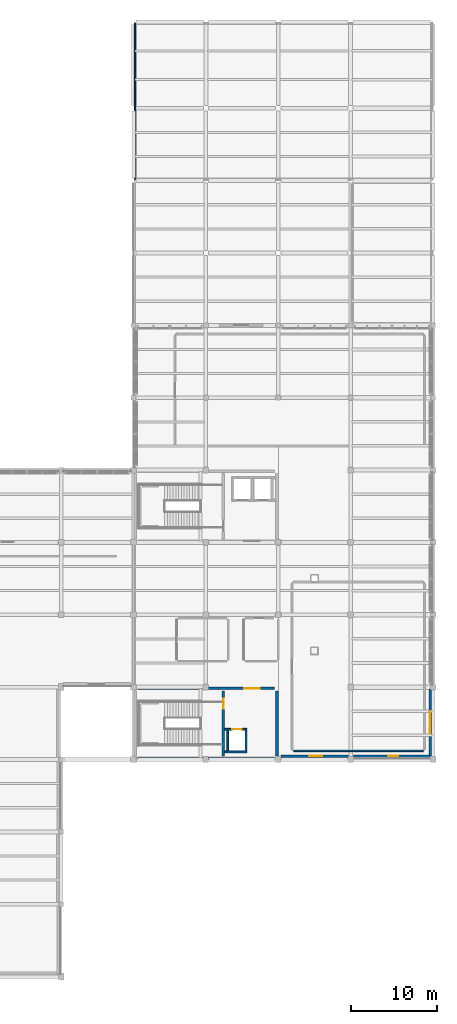
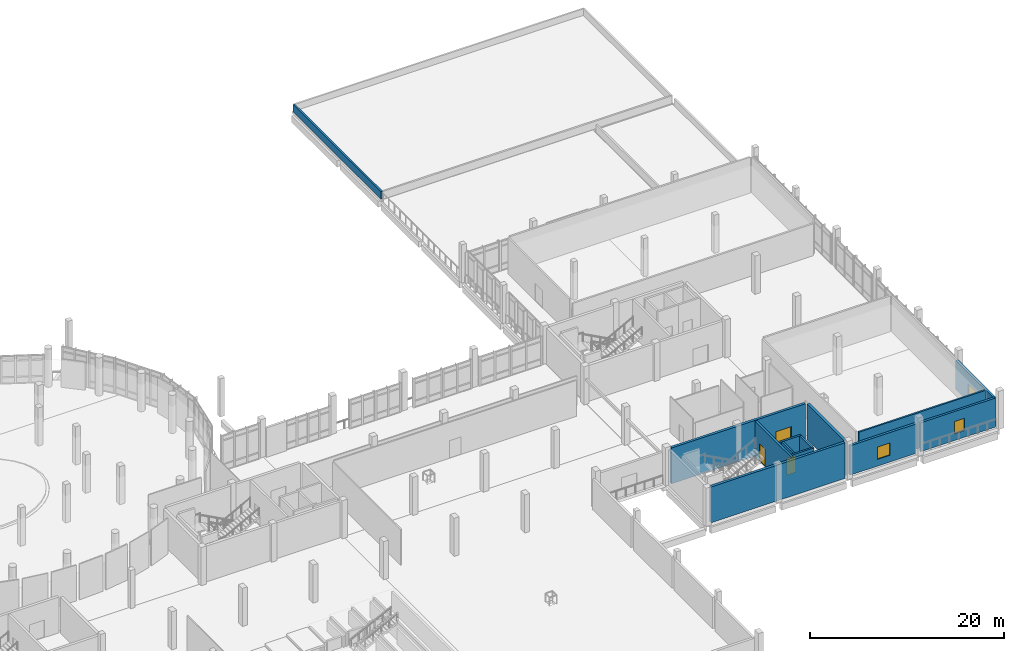
# One storey, part 46 of 63: 13 walls, 3 doors, 3 windows, 6 openings.
"""IFC4 building model written with IfcOpenShell, lengths in metres."""

from ifc_helpers import new_model, si_unit, derived_unit, direction, frame, frame_2d, origin, place, context, subcontext, project, spatial, rectangle, extrude, material, layer, layer_set, type_object, element, fill, save


model = new_model("IFC4")

# Units and contexts
model_context = context("Model", 3, precision=1e-05, world=origin(), true_north=direction((0.0, 1.0)))
body_context = subcontext(model_context, "Body", "Model", "MODEL_VIEW")
ifc_project = project(units=[si_unit("LENGTHUNIT", "METRE"), si_unit("AREAUNIT", "SQUARE_METRE"), si_unit("VOLUMEUNIT", "CUBIC_METRE"), si_unit("PLANEANGLEUNIT", "RADIAN"), si_unit("MASSUNIT", "GRAM", prefix="KILO"), derived_unit("THERMALTRANSMITTANCEUNIT", [(si_unit("POWERUNIT", "WATT"), 1), (si_unit("LENGTHUNIT", "METRE"), -2), (si_unit("THERMODYNAMICTEMPERATUREUNIT", "KELVIN"), -1)])], contexts=[model_context])

# Site, building, storey
site_placement = place(None, origin())
site = spatial("IfcSite", under=ifc_project, at=site_placement, CompositionType="ELEMENT")
building_placement = place(site_placement, origin())
building = spatial("IfcBuilding", under=site, at=building_placement, Name="Elbkamm Science Centre", CompositionType="ELEMENT")
storey_placement = place(building_placement, frame((0.0, 0.0, 5.10009765625)))
storey = spatial("IfcBuildingStorey", under=building, at=storey_placement, Name="L01", CompositionType="ELEMENT", Elevation=5.10009765625)

# Wall, opening, door
ifc_material_1 = material(Name="Reinforced concrete C40/50", Category="concrete")
ifc_layer_1 = layer(ifc_material_1, 0.25)
ifc_layer_set_1 = layer_set([ifc_layer_1], Name="Reinforced concrete C40/50")
wall_type_1 = type_object("IfcWallType", Name="WL-CORE-250", PredefinedType="SHEAR", material=ifc_layer_set_1)
wall_1_placement = place(storey_placement, frame((136.419921875, 25.6201171875, 0.0), z_axis=(0.0, 0.0, 1.0), x_axis=(0.0, 1.0, 0.0)))
wall_1 = element("IfcWall", 1, at=wall_1_placement, inside=storey, type_object=wall_type_1, Name="L01 C4 Stairwell Compartment Wall", PredefinedType="SHEAR", context=body_context, shape_type="SweptSolid", body=[
    extrude(rectangle(XDim=7.559814453125, YDim=0.25, at=frame_2d((3.77978515625, 0.0))), origin(), (0.0, 0.0, 1.0), 4.5),
])
opening_1_placement = place(wall_1_placement, frame((5.4599609375, 0.0, 0.0)))
opening_1 = element("IfcOpeningElement", 2, at=opening_1_placement, cuts=wall_1, Name="Opening DC-02", PredefinedType="OPENING", context=body_context, shape_type="SweptSolid", body=[
    extrude(rectangle(XDim=1.199951171875, YDim=2.199951171875, at=frame_2d((0.60009765625, 1.10009765625))), frame((0.0, 0.136962890625, 0.0), z_axis=(0.0, -1.0, 0.0), x_axis=(1.0, 0.0, 0.0)), (0.0, 0.0, 1.0), 0.27392578125),
])
ifc_material_2 = material(Name="Fire-rated steel acoustic door", Category="steel")
ifc_layer_2 = layer(ifc_material_2, 0.050048828125)
ifc_layer_set_2 = layer_set([ifc_layer_2], Name="Fire-rated steel acoustic door")
door_type_1 = type_object("IfcDoorType", Name="DR-CORE-1200x2200", OperationType="NOTDEFINED", PredefinedType="DOOR", material=ifc_layer_set_2)
door_1_placement = place(opening_1_placement, origin())
door_1 = element("IfcDoor", 3, at=door_1_placement, inside=storey, type_object=door_type_1, Name="L01 ST-C4 Stairwell Fire Door", OperationType="SINGLE_SWING_RIGHT", OverallHeight=2.199951171875, OverallWidth=1.199951171875, PredefinedType="DOOR", context=body_context, shape_type="SweptSolid", body=[
    extrude(rectangle(XDim=1.199951171875, YDim=2.199951171875, at=frame_2d((0.60009765625, 1.10009765625))), frame((0.0, 0.02490234375, 0.0), z_axis=(0.0, -1.0, 0.0), x_axis=(1.0, 0.0, 0.0)), (0.0, 0.0, 1.0), 0.050048828125),
])
fill(opening_1, door_1)

# Wall
ifc_layer_3 = layer(ifc_material_1, 0.300048828125)
ifc_layer_set_3 = layer_set([ifc_layer_3], Name="Reinforced concrete C40/50")
wall_type_2 = type_object("IfcWallType", Name="WL-CORE-300", PredefinedType="SHEAR", material=ifc_layer_set_3)
wall_2_placement = place(storey_placement, frame((126.449951171875, 25.35009765625, 0.0), z_axis=(0.0, 0.0, 1.0), x_axis=(1.0, 0.0, 0.0)))
element("IfcWall", 4, at=wall_2_placement, inside=storey, type_object=wall_type_2, Name="L01 Core C4 Southeast Workshops and Library Core Shear Wall S", PredefinedType="SHEAR", context=body_context, shape_type="SweptSolid", body=[
    extrude(rectangle(XDim=15.929931640625, YDim=0.300048828125, at=frame_2d((7.96484375, 0.0))), origin(), (0.0, 0.0, 1.0), 4.5),
])

# Wall, opening, door
wall_3_placement = place(storey_placement, frame((126.449951171875, 33.449951171875, 0.0), z_axis=(0.0, 0.0, 1.0), x_axis=(1.0, 0.0, 0.0)))
wall_3 = element("IfcWall", 5, at=wall_3_placement, inside=storey, type_object=wall_type_2, Name="L01 Core C4 Southeast Workshops and Library Core Shear Wall N", PredefinedType="SHEAR", context=body_context, shape_type="SweptSolid", body=[
    extrude(rectangle(XDim=15.929931640625, YDim=0.300048828125, at=frame_2d((7.96484375, 0.0))), origin(), (0.0, 0.0, 1.0), 4.5),
])
opening_2_placement = place(wall_3_placement, frame((12.429931640625, 0.0, 0.0)))
opening_2 = element("IfcOpeningElement", 6, at=opening_2_placement, cuts=wall_3, Name="Opening DC-01", PredefinedType="OPENING", context=body_context, shape_type="SweptSolid", body=[
    extrude(rectangle(XDim=1.800048828125, YDim=2.199951171875, at=frame_2d((0.89990234375, 1.10009765625))), frame((0.0, 0.162109375, 0.0), z_axis=(0.0, -1.0, 0.0), x_axis=(1.0, 0.0, 0.0)), (0.0, 0.0, 1.0), 0.323974609375),
])
ifc_layer_4 = layer(ifc_material_2, 0.050048828125)
ifc_layer_set_4 = layer_set([ifc_layer_4], Name="Fire-rated steel acoustic door")
door_type_2 = type_object("IfcDoorType", Name="DR-CORE-1800x2200", OperationType="DOUBLE_DOOR_SINGLE_SWING", PredefinedType="DOOR", material=ifc_layer_set_4)
door_2_placement = place(opening_2_placement, origin())
door_2 = element("IfcDoor", 7, at=door_2_placement, inside=storey, type_object=door_type_2, Name="L01 C4 Core Lobby Fire Door", OperationType="DOUBLE_DOOR_SINGLE_SWING", OverallHeight=2.199951171875, OverallWidth=1.800048828125, PredefinedType="DOOR", context=body_context, shape_type="SweptSolid", body=[
    extrude(rectangle(XDim=1.800048828125, YDim=2.199951171875, at=frame_2d((0.89990234375, 1.10009765625))), frame((0.0, 0.02490234375, 0.0), z_axis=(0.0, -1.0, 0.0), x_axis=(1.0, 0.0, 0.0)), (0.0, 0.0, 1.0), 0.050048828125),
])
fill(opening_2, door_2)

# Wall
wall_4_placement = place(storey_placement, frame((142.64990234375, 25.6201171875, 0.0), z_axis=(0.0, 0.0, 1.0), x_axis=(0.0, 1.0, 0.0)))
element("IfcWall", 8, at=wall_4_placement, inside=storey, type_object=wall_type_2, Name="L01 Core C4 Southeast Workshops and Library Core Shear Wall E", PredefinedType="SHEAR", context=body_context, shape_type="SweptSolid", body=[
    extrude(rectangle(XDim=7.559814453125, YDim=0.300048828125, at=frame_2d((3.77978515625, 0.0))), origin(), (0.0, 0.0, 1.0), 4.5),
])

# Wall, opening, window
ifc_material_3 = material(Name="White precast concrete C40/50", Category="concrete")
ifc_layer_5 = layer(ifc_material_3, 0.27001953125)
ifc_layer_set_5 = layer_set([ifc_layer_5], Name="White precast concrete C40/50")
wall_type_3 = type_object("IfcWallType", Name="WL-EXT-270", PredefinedType="SOLIDWALL", material=ifc_layer_set_5)
wall_5_placement = place(storey_placement, frame((160.419921875, 25.580078125, 0.0), z_axis=(0.0, 0.0, 1.0), x_axis=(-1.0, 0.0, 0.0)))
wall_5 = element("IfcWall", 9, at=wall_5_placement, inside=storey, type_object=wall_type_3, Name="L01 Exterior Wall 0185", PredefinedType="SOLIDWALL", context=body_context, shape_type="SweptSolid", body=[
    extrude(rectangle(XDim=8.892822265625, YDim=0.27001953125, at=frame_2d((4.4462890625, 0.0))), origin(), (0.0, 0.0, 1.0), 3.64990234375),
])
opening_3_placement = place(wall_5_placement, frame((3.66748046875, 0.0, 0.85009765625)))
opening_3 = element("IfcOpeningElement", 10, at=opening_3_placement, cuts=wall_5, Name="Opening W-09", PredefinedType="OPENING", context=body_context, shape_type="SweptSolid", body=[
    extrude(rectangle(XDim=1.199951171875, YDim=1.550048828125, at=frame_2d((0.60009765625, 0.77490234375))), frame((0.0, 0.14697265625, 0.0), z_axis=(0.0, -1.0, 0.0), x_axis=(1.0, 0.0, 0.0)), (0.0, 0.0, 1.0), 0.2939453125),
])
ifc_material_4 = material(Name="Thermally broken aluminium and triple solar glass", Category="aluminium")
ifc_layer_6 = layer(ifc_material_4, 0.06005859375)
ifc_layer_set_6 = layer_set([ifc_layer_6], Name="Thermally broken aluminium and triple solar glass")
window_type_1 = type_object("IfcWindowType", Name="WIN-1200x1550", PartitioningType="SINGLE_PANEL", PredefinedType="WINDOW", material=ifc_layer_set_6)
window_1_placement = place(opening_3_placement, origin())
window_1 = element("IfcWindow", 11, at=window_1_placement, inside=storey, type_object=window_type_1, Name="L01 Facade Window 0028", OverallHeight=1.550048828125, OverallWidth=1.199951171875, PartitioningType="SINGLE_PANEL", PredefinedType="WINDOW", context=body_context, shape_type="SweptSolid", body=[
    extrude(rectangle(XDim=1.199951171875, YDim=1.550048828125, at=frame_2d((0.60009765625, 0.77490234375))), frame((0.0, 0.030029296875, 0.0), z_axis=(0.0, -1.0, 0.0), x_axis=(1.0, 0.0, 0.0)), (0.0, 0.0, 1.0), 0.06005859375),
])
fill(opening_3, window_1)

ifc_layer_7 = layer(ifc_material_3, 0.2900390625)
ifc_layer_set_7 = layer_set([ifc_layer_7], Name="White precast concrete C40/50")
wall_type_4 = type_object("IfcWallType", Name="WL-EXT-290", PredefinedType="SOLIDWALL", material=ifc_layer_set_7)
wall_6_placement = place(storey_placement, frame((160.419921875, 33.36083984375, 0.0), z_axis=(0.0, 0.0, 1.0), x_axis=(0.0, -1.0, 0.0)))
wall_6 = element("IfcWall", 12, at=wall_6_placement, inside=storey, type_object=wall_type_4, Name="L01 Exterior Wall 0184", PredefinedType="SOLIDWALL", context=body_context, shape_type="SweptSolid", body=[
    extrude(rectangle(XDim=7.78076171875, YDim=0.2900390625, at=frame_2d((3.890380859375, 0.0))), origin(), (0.0, 0.0, 1.0), 3.64990234375),
])
opening_4_placement = place(wall_6_placement, frame((2.590576171875, 0.0, 0.85009765625)))
opening_4 = element("IfcOpeningElement", 13, at=opening_4_placement, cuts=wall_6, Name="Opening W-08", PredefinedType="OPENING", context=body_context, shape_type="SweptSolid", body=[
    extrude(rectangle(XDim=2.60009765625, YDim=1.39990234375, at=frame_2d((1.300048828125, 0.699951171875))), frame((0.0, 0.156982421875, 0.0), z_axis=(0.0, -1.0, 0.0), x_axis=(1.0, 0.0, 0.0)), (0.0, 0.0, 1.0), 0.31396484375),
])
ifc_layer_8 = layer(ifc_material_4, 0.06005859375)
ifc_layer_set_8 = layer_set([ifc_layer_8], Name="Thermally broken aluminium and triple solar glass")
window_type_2 = type_object("IfcWindowType", Name="WIN-2600x1400", PartitioningType="DOUBLE_PANEL_VERTICAL", PredefinedType="WINDOW", material=ifc_layer_set_8)
window_2_placement = place(opening_4_placement, origin())
window_2 = element("IfcWindow", 14, at=window_2_placement, inside=storey, type_object=window_type_2, Name="L01 Facade Window 0027", OverallHeight=1.39990234375, OverallWidth=2.60009765625, PartitioningType="SINGLE_PANEL", PredefinedType="WINDOW", context=body_context, shape_type="SweptSolid", body=[
    extrude(rectangle(XDim=2.60009765625, YDim=1.39990234375, at=frame_2d((1.300048828125, 0.699951171875))), frame((0.0, 0.030029296875, 0.0), z_axis=(0.0, -1.0, 0.0), x_axis=(1.0, 0.0, 0.0)), (0.0, 0.0, 1.0), 0.06005859375),
])
fill(opening_4, window_2)

wall_7_placement = place(storey_placement, frame((150.9609375, 25.580078125, 0.0), z_axis=(0.0, 0.0, 1.0), x_axis=(-1.0, 0.0, 0.0)))
wall_7 = element("IfcWall", 15, at=wall_7_placement, inside=storey, type_object=wall_type_4, Name="L01 Exterior Wall 0186", PredefinedType="SOLIDWALL", context=body_context, shape_type="SweptSolid", body=[
    extrude(rectangle(XDim=7.833984375, YDim=0.2900390625, at=frame_2d((3.9169921875, 0.0))), origin(), (0.0, 0.0, 1.0), 3.699951171875),
])
opening_5_placement = place(wall_7_placement, frame((3.055419921875, 0.0, 0.85009765625)))
opening_5 = element("IfcOpeningElement", 16, at=opening_5_placement, cuts=wall_7, Name="Opening W-10", PredefinedType="OPENING", context=body_context, shape_type="SweptSolid", body=[
    extrude(rectangle(XDim=1.5, YDim=1.550048828125, at=frame_2d((0.75, 0.77490234375))), frame((0.0, 0.156982421875, 0.0), z_axis=(0.0, -1.0, 0.0), x_axis=(1.0, 0.0, 0.0)), (0.0, 0.0, 1.0), 0.31396484375),
])
ifc_layer_9 = layer(ifc_material_4, 0.06005859375)
ifc_layer_set_9 = layer_set([ifc_layer_9], Name="Thermally broken aluminium and triple solar glass")
window_type_3 = type_object("IfcWindowType", Name="WIN-1500x1550", PartitioningType="SINGLE_PANEL", PredefinedType="WINDOW", material=ifc_layer_set_9)
window_3_placement = place(opening_5_placement, origin())
window_3 = element("IfcWindow", 17, at=window_3_placement, inside=storey, type_object=window_type_3, Name="L01 Facade Window 0029", OverallHeight=1.550048828125, OverallWidth=1.5, PartitioningType="SINGLE_PANEL", PredefinedType="WINDOW", context=body_context, shape_type="SweptSolid", body=[
    extrude(rectangle(XDim=1.5, YDim=1.550048828125, at=frame_2d((0.75, 0.77490234375))), frame((0.0, 0.030029296875, 0.0), z_axis=(0.0, -1.0, 0.0), x_axis=(1.0, 0.0, 0.0)), (0.0, 0.0, 1.0), 0.06005859375),
])
fill(opening_5, window_3)

# Walls
ifc_material_5 = material(Name="Fire-rated acoustic blockwork", Category="masonry")
ifc_layer_10 = layer(ifc_material_5, 0.199951171875)
ifc_layer_set_10 = layer_set([ifc_layer_10], Name="Fire-rated acoustic blockwork")
wall_type_5 = type_object("IfcWallType", Name="WL-FIRE-200", PredefinedType="PARTITIONING", material=ifc_layer_set_10)
wall_8_placement = place(storey_placement, frame((159.6201171875, 26.199951171875, 0.0), z_axis=(0.0, 0.0, 1.0), x_axis=(-1.0, 0.0, 0.0)))
element("IfcWall", 18, at=wall_8_placement, inside=storey, type_object=wall_type_5, Name="L01 Chemistry Wet Teaching Laboratory Partition 0118", PredefinedType="PARTITIONING", context=body_context, shape_type="SweptSolid", body=[
    extrude(rectangle(XDim=15.0400390625, YDim=0.199951171875, at=frame_2d((7.52001953125, 0.0))), origin(), (0.0, 0.0, 1.0), 4.5),
])
ifc_layer_11 = layer(ifc_material_3, 0.2099609375)
ifc_layer_set_11 = layer_set([ifc_layer_11], Name="White precast concrete C40/50")
wall_type_6 = type_object("IfcWallType", Name="WL-PAR-210", PredefinedType="PARAPET", material=ifc_layer_set_11)
wall_9_placement = place(storey_placement, frame((126.1650390625, 92.550048828125, 0.0), z_axis=(0.0, 0.0, 1.0), x_axis=(0.0, 1.0, 0.0)))
element("IfcWall", 19, at=wall_9_placement, inside=storey, type_object=wall_type_6, Name="L01 Roof Parapet Wall 022", PredefinedType="PARAPET", context=body_context, shape_type="SweptSolid", body=[
    extrude(rectangle(XDim=18.10986328125, YDim=0.2099609375, at=frame_2d((9.054931640625, 0.0))), origin(), (0.0, 0.0, 1.0), 0.949951171875),
])
ifc_layer_12 = layer(ifc_material_1, 0.219970703125)
ifc_layer_set_12 = layer_set([ifc_layer_12], Name="Reinforced concrete C40/50")
wall_type_7 = type_object("IfcWallType", Name="WL-SHAFT-220", PredefinedType="SOLIDWALL", material=ifc_layer_set_12)
for number, where, z_axis, x_axis, name in (
    (20, (136.93994140625, 26.199951171875, 0.0), (0.0, 0.0, 1.0), (0.0, 1.0, 0.0), "L01 Lift LP3 Shaft West Wall"),
    (21, (139.06005859375, 26.199951171875, 0.0), (0.0, 0.0, 1.0), (0.0, 1.0, 0.0), "L01 Lift LP3 Shaft East Wall"),
):
    element("IfcWall", number, at=place(storey_placement, frame(where, z_axis=z_axis, x_axis=x_axis)), inside=storey, type_object=wall_type_7, Name=name, PredefinedType="SOLIDWALL", context=body_context, shape_type="SweptSolid", body=[
        extrude(rectangle(XDim=2.400146484375, YDim=0.219970703125, at=frame_2d((1.2001953125, 0.0))), origin(), (0.0, 0.0, 1.0), 4.5),
    ])
wall_10_placement = place(storey_placement, frame((136.56005859375, 26.090087890625, 0.0), z_axis=(0.0, 0.0, 1.0), x_axis=(1.0, 0.0, 0.0)))
element("IfcWall", 22, at=wall_10_placement, inside=storey, type_object=wall_type_7, Name="L01 Lift LP3 Shaft Back Wall", PredefinedType="SOLIDWALL", context=body_context, shape_type="SweptSolid", body=[
    extrude(rectangle(XDim=2.60986328125, YDim=0.219970703125, at=frame_2d((1.304931640625, 0.0))), origin(), (0.0, 0.0, 1.0), 4.5),
])

# Wall, opening, door
wall_11_placement = place(storey_placement, frame((136.56005859375, 28.7099609375, 0.0), z_axis=(0.0, 0.0, 1.0), x_axis=(1.0, 0.0, 0.0)))
wall_11 = element("IfcWall", 23, at=wall_11_placement, inside=storey, type_object=wall_type_7, Name="L01 Lift LP3 Shaft Front Wall", PredefinedType="SOLIDWALL", context=body_context, shape_type="SweptSolid", body=[
    extrude(rectangle(XDim=2.60986328125, YDim=0.219970703125, at=frame_2d((1.304931640625, 0.0))), origin(), (0.0, 0.0, 1.0), 4.5),
])
opening_6_placement = place(wall_11_placement, frame((0.889892578125, 0.0, 0.0)))
opening_6 = element("IfcOpeningElement", 24, at=opening_6_placement, cuts=wall_11, Name="Opening LD-01", PredefinedType="OPENING", context=body_context, shape_type="SweptSolid", body=[
    extrude(rectangle(XDim=1.10009765625, YDim=2.14990234375, at=frame_2d((0.550048828125, 1.074951171875))), frame((0.0, 0.1220703125, 0.0), z_axis=(0.0, -1.0, 0.0), x_axis=(1.0, 0.0, 0.0)), (0.0, 0.0, 1.0), 0.243896484375),
])
ifc_material_6 = material(Name="Stainless steel lift landing door", Category="steel")
ifc_layer_13 = layer(ifc_material_6, 0.050048828125)
ifc_layer_set_13 = layer_set([ifc_layer_13], Name="Stainless steel lift landing door")
door_type_3 = type_object("IfcDoorType", Name="DR-LIFT-1100x2150", OperationType="DOUBLE_DOOR_SLIDING", PredefinedType="DOOR", material=ifc_layer_set_13)
door_3_placement = place(opening_6_placement, origin())
door_3 = element("IfcDoor", 25, at=door_3_placement, inside=storey, type_object=door_type_3, Name="L01 Lift LP3 Sliding Landing Door", OperationType="DOUBLE_DOOR_SLIDING", OverallHeight=2.14990234375, OverallWidth=1.10009765625, PredefinedType="DOOR", context=body_context, shape_type="SweptSolid", body=[
    extrude(rectangle(XDim=1.10009765625, YDim=2.14990234375, at=frame_2d((0.550048828125, 1.074951171875))), frame((0.0, 0.02490234375, 0.0), z_axis=(0.0, -1.0, 0.0), x_axis=(1.0, 0.0, 0.0)), (0.0, 0.0, 1.0), 0.050048828125),
])
fill(opening_6, door_3)

save(model, "model.ifc")
